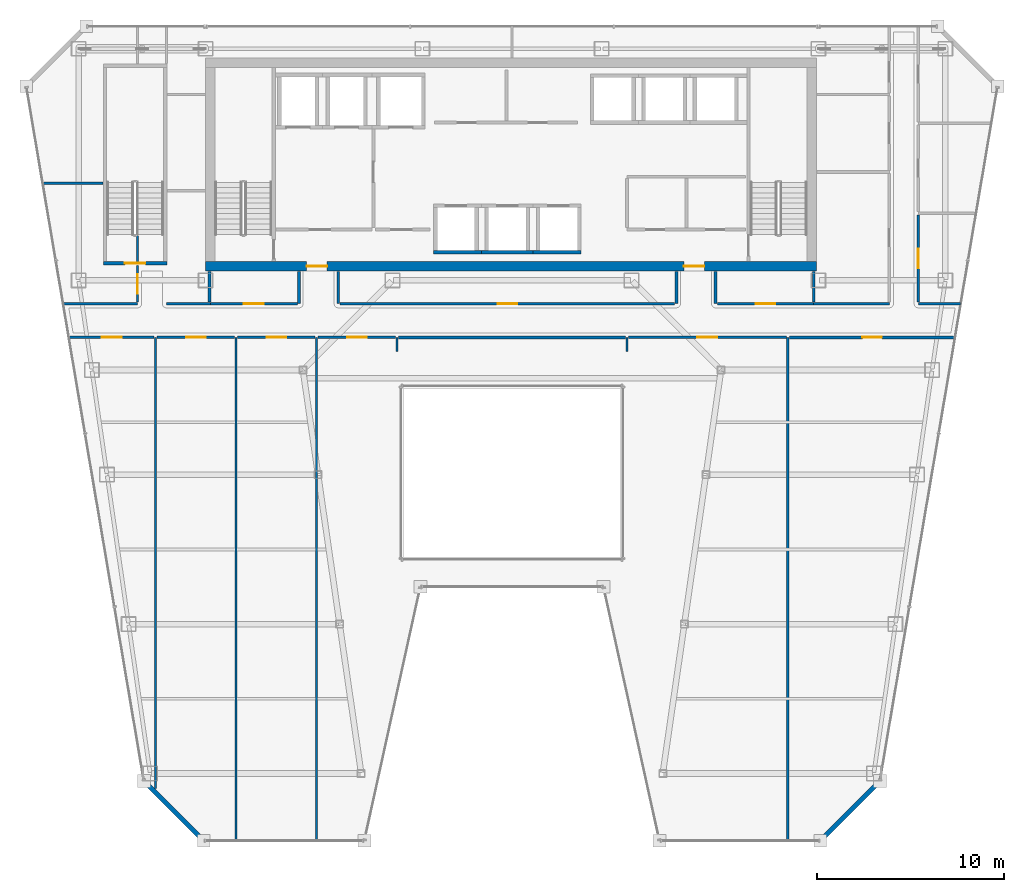
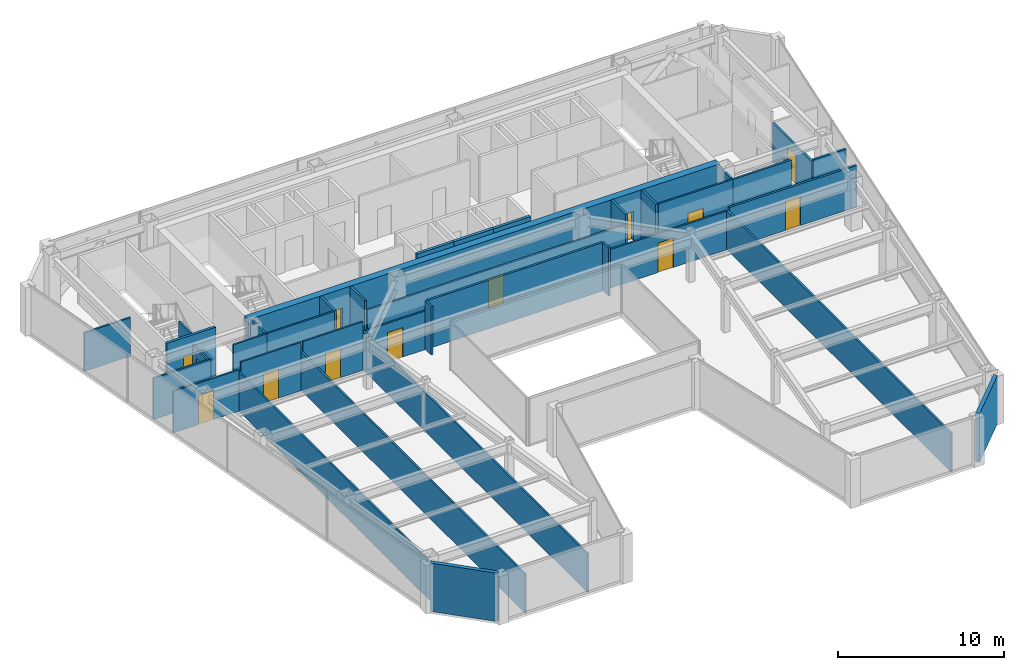
# One storey, part 30 of 36: 37 walls, 14 doors, 14 openings.
"""IFC4 building model written with IfcOpenShell, lengths in metres."""

from ifc_helpers import new_model, si_unit, direction, frame, frame_2d, origin, place, context, subcontext, project, spatial, rectangle, extrude, material, layer, layer_set, type_object, element, fill, save


model = new_model("IFC4")

# Units and contexts
model_context = context("Model", 3, precision=1e-05, world=origin(), true_north=direction((0.0, 1.0)))
body_context = subcontext(model_context, "Body", "Model", "MODEL_VIEW")
ifc_project = project(units=[si_unit("LENGTHUNIT", "METRE"), si_unit("AREAUNIT", "SQUARE_METRE"), si_unit("VOLUMEUNIT", "CUBIC_METRE"), si_unit("PLANEANGLEUNIT", "RADIAN"), si_unit("MASSUNIT", "GRAM", prefix="KILO")], contexts=[model_context])

# Site, building, storey
site_placement = place(None, origin())
site = spatial("IfcSite", under=ifc_project, at=site_placement, CompositionType="ELEMENT")
building_placement = place(site_placement, origin())
building = spatial("IfcBuilding", under=site, at=building_placement, Name="Saevonmaru Cultural Tower", CompositionType="ELEMENT")
storey_placement = place(building_placement, frame((0.0, 0.0, 198.0)))
storey = spatial("IfcBuildingStorey", under=building, at=storey_placement, Name="L45", CompositionType="ELEMENT", Elevation=198.0)

# Wall, openings, doors
ifc_material_1 = material(Name="Concrete C60/75", Category="concrete")
ifc_layer_1 = layer(ifc_material_1, 0.5, Name="Concrete C60/75")
ifc_layer_set_1 = layer_set([ifc_layer_1], Name="Concrete C60/75")
wall_type_1 = type_object("IfcWallType", Name="WL-CORE-500", PredefinedType="SHEAR", material=ifc_layer_set_1)
wall_1_placement = place(storey_placement, frame((13.60009765625, 43.14990234375, 0.0), z_axis=(0.0, 0.0, 1.0), x_axis=(1.0, 0.0, 0.0)))
wall_1 = element("IfcWall", 1, at=wall_1_placement, inside=storey, type_object=wall_type_1, Name="L45 Tower RC core shear wall S", PredefinedType="SHEAR", context=body_context, shape_type="SweptSolid", body=[
    extrude(rectangle(XDim=32.699951171875, YDim=0.5, at=frame_2d((16.35009765625, 0.0))), origin(), (0.0, 0.0, 1.0), 3.550048828125),
])
opening_1_placement = place(wall_1_placement, frame((5.39990234375, 0.0, 0.0)))
opening_1 = element("IfcOpeningElement", 2, at=opening_1_placement, cuts=wall_1, Name="Opening FD-2", PredefinedType="OPENING", context=body_context, shape_type="SweptSolid", body=[
    extrude(rectangle(XDim=1.10009765625, YDim=2.14990234375, at=frame_2d((0.550048828125, 1.074951171875))), frame((0.0, 0.260009765625, 0.0), z_axis=(0.0, -1.0, 0.0), x_axis=(1.0, 0.0, 0.0)), (0.0, 0.0, 1.0), 0.52001953125),
])
opening_2_placement = place(wall_1_placement, frame((25.60009765625, 0.0, 0.0)))
opening_2 = element("IfcOpeningElement", 3, at=opening_2_placement, cuts=wall_1, Name="Opening FD-2", PredefinedType="OPENING", context=body_context, shape_type="SweptSolid", body=[
    extrude(rectangle(XDim=1.10009765625, YDim=2.14990234375, at=frame_2d((0.550048828125, 1.074951171875))), frame((0.0, 0.260009765625, 0.0), z_axis=(0.0, -1.0, 0.0), x_axis=(1.0, 0.0, 0.0)), (0.0, 0.0, 1.0), 0.52001953125),
])
ifc_material_2 = material(Name="Satin Bronze Anodised Aluminium", Category="aluminium")
door_type_1 = type_object("IfcDoorType", Name="DR-FD60-1100", OperationType="SINGLE_SWING_LEFT", PredefinedType="DOOR", material=ifc_material_2)
door_1_placement = place(opening_1_placement, origin())
door_1 = element("IfcDoor", 4, at=door_1_placement, inside=storey, type_object=door_type_1, Name="L45 Core West Lobby Fire Door", OperationType="SINGLE_SWING_LEFT", OverallHeight=2.14990234375, OverallWidth=1.10009765625, PredefinedType="DOOR", context=body_context, shape_type="SweptSolid", body=[
    extrude(rectangle(XDim=1.10009765625, YDim=2.14990234375, at=frame_2d((0.550048828125, 1.074951171875))), frame((0.0, 0.02490234375, 0.0), z_axis=(0.0, -1.0, 0.0), x_axis=(1.0, 0.0, 0.0)), (0.0, 0.0, 1.0), 0.050048828125),
])
fill(opening_1, door_1)
door_2_placement = place(opening_2_placement, origin())
door_2 = element("IfcDoor", 5, at=door_2_placement, inside=storey, type_object=door_type_1, Name="L45 Core East Lobby Fire Door", OperationType="SINGLE_SWING_LEFT", OverallHeight=2.14990234375, OverallWidth=1.10009765625, PredefinedType="DOOR", context=body_context, shape_type="SweptSolid", body=[
    extrude(rectangle(XDim=1.10009765625, YDim=2.14990234375, at=frame_2d((0.550048828125, 1.074951171875))), frame((0.0, 0.02490234375, 0.0), z_axis=(0.0, -1.0, 0.0), x_axis=(1.0, 0.0, 0.0)), (0.0, 0.0, 1.0), 0.050048828125),
])
fill(opening_2, door_2)

# Walls
ifc_material_3 = material(Name="Granite-Clad Precast Concrete C40/50", Category="masonry")
ifc_layer_2 = layer(ifc_material_3, 0.260009765625, Name="Granite-Clad Precast Concrete C40/50")
ifc_layer_set_2 = layer_set([ifc_layer_2], Name="Granite-Clad Precast Concrete C40/50")
wall_type_2 = type_object("IfcWallType", Name="WL-EXT-SPANDREL-260", PredefinedType="STANDARD", material=ifc_layer_set_2)
for number, where, z_axis, x_axis, name in (
    (6, (10.410888671875, 15.48681640625, 0.0), (0.0, 0.0, 1.0), (0.707135806771, -0.70707775441, 0.0), "L45 Chamfer Corner Spandrel Wall E1"),
    (7, (46.615234375, 12.51318359375, 0.0), (0.0, 0.0, 1.0), (0.707135806771, 0.70707775441, 0.0), "L45 Chamfer Corner Spandrel Wall E7"),
):
    element("IfcWall", number, at=place(storey_placement, frame(where, z_axis=z_axis, x_axis=x_axis)), inside=storey, type_object=wall_type_2, Name=name, PredefinedType="STANDARD", context=body_context, shape_type="SweptSolid", body=[
        extrude(rectangle(XDim=4.20556640625, YDim=0.260009765625, at=frame_2d((2.102783203125, 0.0))), origin(), (0.0, 0.0, 1.0), 3.550048828125),
    ])

# Wall, opening, door
ifc_material_4 = material(Name="Gypsum Fireboard Partition", Category="gypsum")
ifc_layer_3 = layer(ifc_material_4, 0.14990234375, Name="Gypsum Fireboard Partition")
ifc_layer_set_3 = layer_set([ifc_layer_3], Name="Gypsum Fireboard Partition")
wall_type_3 = type_object("IfcWallType", Name="WL-PART-FIRE-150", PredefinedType="PARTITIONING", material=ifc_layer_set_3)
wall_2_placement = place(storey_placement, frame((51.75, 41.237548828125, 0.0), z_axis=(0.0, 0.0, 1.0), x_axis=(0.0, 1.0, 0.0)))
wall_2 = element("IfcWall", 8, at=wall_2_placement, inside=storey, type_object=wall_type_3, Name="L45 Special Collections Gallery Corridor Wall", PredefinedType="PARTITIONING", context=body_context, shape_type="SweptSolid", body=[
    extrude(rectangle(XDim=4.675048828125, YDim=0.14990234375, at=frame_2d((2.33740234375, 0.0))), origin(), (0.0, 0.0, 1.0), 2.8349609375),
])
opening_3_placement = place(wall_2_placement, frame((1.81298828125, 0.0, 0.0)))
opening_3 = element("IfcOpeningElement", 9, at=opening_3_placement, cuts=wall_2, Name="Opening ID-1", PredefinedType="OPENING", context=body_context, shape_type="SweptSolid", body=[
    extrude(rectangle(XDim=1.050048828125, YDim=2.14990234375, at=frame_2d((0.52490234375, 1.074951171875))), frame((0.0, 0.0849609375, 0.0), z_axis=(0.0, -1.0, 0.0), x_axis=(1.0, 0.0, 0.0)), (0.0, 0.0, 1.0), 0.169921875),
])
door_type_2 = type_object("IfcDoorType", Name="DR-INT-1050", OperationType="SINGLE_SWING_LEFT", PredefinedType="DOOR", material=ifc_material_2)
door_3_placement = place(opening_3_placement, origin())
door_3 = element("IfcDoor", 10, at=door_3_placement, inside=storey, type_object=door_type_2, Name="L45 Special Collections Gallery Door", OperationType="SINGLE_SWING_RIGHT", OverallHeight=2.14990234375, OverallWidth=1.050048828125, PredefinedType="DOOR", context=body_context, shape_type="SweptSolid", body=[
    extrude(rectangle(XDim=1.050048828125, YDim=2.14990234375, at=frame_2d((0.52490234375, 1.074951171875))), frame((0.0, 0.02490234375, 0.0), z_axis=(0.0, -1.0, 0.0), x_axis=(1.0, 0.0, 0.0)), (0.0, 0.0, 1.0), 0.050048828125),
])
fill(opening_3, door_3)

# Walls
wall_3_placement = place(storey_placement, frame((13.800048828125, 41.22998046875, 0.0), z_axis=(0.0, 0.0, 1.0), x_axis=(0.0, 1.0, 0.0)))
element("IfcWall", 11, at=wall_3_placement, inside=storey, type_object=wall_type_3, Name="L45 Core Portal Side Wall W0", PredefinedType="PARTITIONING", context=body_context, shape_type="SweptSolid", body=[
    extrude(rectangle(XDim=1.64990234375, YDim=0.14990234375, at=frame_2d((0.824951171875, 0.0))), origin(), (0.0, 0.0, 1.0), 3.550048828125),
])
for number, where, z_axis, x_axis, name in (
    (12, (18.60009765625, 41.14990234375, 0.0), (0.0, 0.0, 1.0), (0.0, 1.0, 0.0), "L45 Core Portal Side Wall W1"),
    (13, (20.699951171875, 41.14990234375, 0.0), (0.0, 0.0, 1.0), (0.0, 1.0, 0.0), "L45 Core Portal Side Wall W2"),
    (14, (38.800048828125, 41.14990234375, 0.0), (0.0, 0.0, 1.0), (0.0, 1.0, 0.0), "L45 Core Portal Side Wall E1"),
    (15, (40.89990234375, 41.14990234375, 0.0), (0.0, 0.0, 1.0), (0.0, 1.0, 0.0), "L45 Core Portal Side Wall E2"),
):
    element("IfcWall", number, at=place(storey_placement, frame(where, z_axis=z_axis, x_axis=x_axis)), inside=storey, type_object=wall_type_3, Name=name, PredefinedType="PARTITIONING", context=body_context, shape_type="SweptSolid", body=[
        extrude(rectangle(XDim=1.72998046875, YDim=0.14990234375, at=frame_2d((0.864990234375, 0.0))), origin(), (0.0, 0.0, 1.0), 3.550048828125),
    ])
wall_4_placement = place(storey_placement, frame((23.929931640625, 39.35009765625, 0.0), z_axis=(0.0, 0.0, 1.0), x_axis=(1.0, 0.0, 0.0)))
element("IfcWall", 16, at=wall_4_placement, inside=storey, type_object=wall_type_3, Name="L45 North Atrium Corridor Wall", PredefinedType="PARTITIONING", context=body_context, shape_type="SweptSolid", body=[
    extrude(rectangle(XDim=12.14013671875, YDim=0.14990234375, at=frame_2d((6.070068359375, 0.0))), origin(), (0.0, 0.0, 1.0), 3.550048828125),
])

# Wall, opening, door
wall_5_placement = place(storey_placement, frame((44.857421875, 39.35009765625, 0.0), z_axis=(0.0, 0.0, 1.0), x_axis=(1.0, 0.0, 0.0)))
wall_5 = element("IfcWall", 17, at=wall_5_placement, inside=storey, type_object=wall_type_3, Name="L45 Special Collections Gallery Corridor Wall", PredefinedType="PARTITIONING", context=body_context, shape_type="SweptSolid", body=[
    extrude(rectangle(XDim=8.837646484375, YDim=0.14990234375, at=frame_2d((4.4189453125, 0.0))), origin(), (0.0, 0.0, 1.0), 3.034912109375),
])
opening_4_placement = place(wall_5_placement, frame((3.89404296875, 0.0, 0.0)))
opening_4 = element("IfcOpeningElement", 18, at=opening_4_placement, cuts=wall_5, Name="Opening ID-1", PredefinedType="OPENING", context=body_context, shape_type="SweptSolid", body=[
    extrude(rectangle(XDim=1.050048828125, YDim=2.14990234375, at=frame_2d((0.52490234375, 1.074951171875))), frame((0.0, 0.0849609375, 0.0), z_axis=(0.0, -1.0, 0.0), x_axis=(1.0, 0.0, 0.0)), (0.0, 0.0, 1.0), 0.169921875),
])
door_4_placement = place(opening_4_placement, origin())
door_4 = element("IfcDoor", 19, at=door_4_placement, inside=storey, type_object=door_type_2, Name="L45 Special Collections Gallery Door", OperationType="SINGLE_SWING_LEFT", OverallHeight=2.14990234375, OverallWidth=1.050048828125, PredefinedType="DOOR", context=body_context, shape_type="SweptSolid", body=[
    extrude(rectangle(XDim=1.050048828125, YDim=2.14990234375, at=frame_2d((0.52490234375, 1.074951171875))), frame((0.0, 0.02490234375, 0.0), z_axis=(0.0, -1.0, 0.0), x_axis=(1.0, 0.0, 0.0)), (0.0, 0.0, 1.0), 0.050048828125),
])
fill(opening_4, door_4)

# Walls
ifc_layer_4 = layer(ifc_material_4, 0.1201171875, Name="Gypsum Fireboard Partition")
ifc_layer_set_4 = layer_set([ifc_layer_4], Name="Gypsum Fireboard Partition")
wall_type_4 = type_object("IfcWallType", Name="WL-PART-GYP-120", PredefinedType="PARTITIONING", material=ifc_layer_set_4)
wall_6_placement = place(storey_placement, frame((5.977294921875, 41.14990234375, 0.0), z_axis=(0.0, 0.0, 1.0), x_axis=(1.0, 0.0, 0.0)))
element("IfcWall", 20, at=wall_6_placement, inside=storey, type_object=wall_type_4, Name="L45 NW Wing South Wall", PredefinedType="PARTITIONING", context=body_context, shape_type="SweptSolid", body=[
    extrude(rectangle(XDim=3.97265625, YDim=0.1201171875, at=frame_2d((1.986328125, 0.0))), origin(), (0.0, 0.0, 1.0), 3.034912109375),
])
wall_7_placement = place(storey_placement, frame((11.5, 41.14990234375, 0.0), z_axis=(0.0, 0.0, 1.0), x_axis=(1.0, 0.0, 0.0)))
element("IfcWall", 21, at=wall_7_placement, inside=storey, type_object=wall_type_4, Name="L45 NW Inner South Wall", PredefinedType="PARTITIONING", context=body_context, shape_type="SweptSolid", body=[
    extrude(rectangle(XDim=2.35009765625, YDim=0.1201171875, at=frame_2d((1.175048828125, 0.0))), origin(), (0.0, 0.0, 1.0), 3.550048828125),
])
wall_8_placement = place(storey_placement, frame((4.885498046875, 47.60009765625, 0.0), z_axis=(0.0, 0.0, 1.0), x_axis=(1.0, 0.0, 0.0)))
element("IfcWall", 22, at=wall_8_placement, inside=storey, type_object=wall_type_4, Name="L45 NW Studio Divider 1", PredefinedType="PARTITIONING", context=body_context, shape_type="SweptSolid", body=[
    extrude(rectangle(XDim=3.214599609375, YDim=0.1201171875, at=frame_2d((1.607421875, 0.0))), origin(), (0.0, 0.0, 1.0), 2.8349609375),
])

# Wall, opening, door
wall_9_placement = place(storey_placement, frame((9.949951171875, 41.22998046875, 0.0), z_axis=(0.0, 0.0, 1.0), x_axis=(0.0, 1.0, 0.0)))
wall_9 = element("IfcWall", 23, at=wall_9_placement, inside=storey, type_object=wall_type_4, Name="L45 Rare Manuscript Reading Room Corridor Wall", PredefinedType="PARTITIONING", context=body_context, shape_type="SweptSolid", body=[
    extrude(rectangle(XDim=1.969970703125, YDim=0.1201171875, at=frame_2d((0.98486328125, 0.0))), origin(), (0.0, 0.0, 1.0), 2.8349609375),
])
opening_5_placement = place(wall_9_placement, frame((0.4599609375, 0.0, 0.0)))
opening_5 = element("IfcOpeningElement", 24, at=opening_5_placement, cuts=wall_9, Name="Opening ID-1", PredefinedType="OPENING", context=body_context, shape_type="SweptSolid", body=[
    extrude(rectangle(XDim=1.050048828125, YDim=2.14990234375, at=frame_2d((0.52490234375, 1.074951171875))), frame((0.0, 0.070068359375, 0.0), z_axis=(0.0, -1.0, 0.0), x_axis=(1.0, 0.0, 0.0)), (0.0, 0.0, 1.0), 0.14013671875),
])
door_5_placement = place(opening_5_placement, origin())
door_5 = element("IfcDoor", 25, at=door_5_placement, inside=storey, type_object=door_type_2, Name="L45 Rare Manuscript Reading Room Door", OperationType="SINGLE_SWING_LEFT", OverallHeight=2.14990234375, OverallWidth=1.050048828125, PredefinedType="DOOR", context=body_context, shape_type="SweptSolid", body=[
    extrude(rectangle(XDim=1.050048828125, YDim=2.14990234375, at=frame_2d((0.52490234375, 1.074951171875))), frame((0.0, 0.02490234375, 0.0), z_axis=(0.0, -1.0, 0.0), x_axis=(1.0, 0.0, 0.0)), (0.0, 0.0, 1.0), 0.050048828125),
])
fill(opening_5, door_5)

# Wall
wall_10_placement = place(storey_placement, frame((9.949951171875, 43.419921875, 0.0), z_axis=(0.0, 0.0, 1.0), x_axis=(0.0, 1.0, 0.0)))
element("IfcWall", 26, at=wall_10_placement, inside=storey, type_object=wall_type_4, Name="L45 Rare Manuscript Reading Room Corridor Wall (2)", PredefinedType="PARTITIONING", context=body_context, shape_type="SweptSolid", body=[
    extrude(rectangle(XDim=1.4501953125, YDim=0.1201171875, at=frame_2d((0.72509765625, 0.0))), origin(), (0.0, 0.0, 1.0), 3.550048828125),
])

# Wall, opening, door
wall_11_placement = place(storey_placement, frame((13.85009765625, 41.14990234375, 0.0), z_axis=(0.0, 0.0, 1.0), x_axis=(1.0, 0.0, 0.0)))
wall_11 = element("IfcWall", 27, at=wall_11_placement, inside=storey, type_object=wall_type_4, Name="L45 Rare Manuscript Reading Room Corridor Wall", PredefinedType="PARTITIONING", context=body_context, shape_type="SweptSolid", body=[
    extrude(rectangle(XDim=4.65478515625, YDim=0.1201171875, at=frame_2d((2.327392578125, 0.0))), origin(), (0.0, 0.0, 1.0), 3.550048828125),
])
opening_6_placement = place(wall_11_placement, frame((1.802001953125, 0.0, 0.0)))
opening_6 = element("IfcOpeningElement", 28, at=opening_6_placement, cuts=wall_11, Name="Opening ID-1", PredefinedType="OPENING", context=body_context, shape_type="SweptSolid", body=[
    extrude(rectangle(XDim=1.050048828125, YDim=2.14990234375, at=frame_2d((0.52490234375, 1.074951171875))), frame((0.0, 0.070068359375, 0.0), z_axis=(0.0, -1.0, 0.0), x_axis=(1.0, 0.0, 0.0)), (0.0, 0.0, 1.0), 0.14013671875),
])
door_6_placement = place(opening_6_placement, origin())
door_6 = element("IfcDoor", 29, at=door_6_placement, inside=storey, type_object=door_type_2, Name="L45 Rare Manuscript Reading Room Door", OperationType="SINGLE_SWING_LEFT", OverallHeight=2.14990234375, OverallWidth=1.050048828125, PredefinedType="DOOR", context=body_context, shape_type="SweptSolid", body=[
    extrude(rectangle(XDim=1.050048828125, YDim=2.14990234375, at=frame_2d((0.52490234375, 1.074951171875))), frame((0.0, 0.02490234375, 0.0), z_axis=(0.0, -1.0, 0.0), x_axis=(1.0, 0.0, 0.0)), (0.0, 0.0, 1.0), 0.050048828125),
])
fill(opening_6, door_6)

wall_12_placement = place(storey_placement, frame((20.794921875, 41.14990234375, 0.0), z_axis=(0.0, 0.0, 1.0), x_axis=(1.0, 0.0, 0.0)))
wall_12 = element("IfcWall", 30, at=wall_12_placement, inside=storey, type_object=wall_type_4, Name="L45 Cartographic Study Library Corridor Wall", PredefinedType="PARTITIONING", context=body_context, shape_type="SweptSolid", body=[
    extrude(rectangle(XDim=17.91015625, YDim=0.1201171875, at=frame_2d((8.955078125, 0.0))), origin(), (0.0, 0.0, 1.0), 2.8349609375),
])
opening_7_placement = place(wall_12_placement, frame((8.429931640625, 0.0, 0.0)))
opening_7 = element("IfcOpeningElement", 31, at=opening_7_placement, cuts=wall_12, Name="Opening ID-1", PredefinedType="OPENING", context=body_context, shape_type="SweptSolid", body=[
    extrude(rectangle(XDim=1.050048828125, YDim=2.14990234375, at=frame_2d((0.52490234375, 1.074951171875))), frame((0.0, 0.070068359375, 0.0), z_axis=(0.0, -1.0, 0.0), x_axis=(1.0, 0.0, 0.0)), (0.0, 0.0, 1.0), 0.14013671875),
])
door_7_placement = place(opening_7_placement, origin())
door_7 = element("IfcDoor", 32, at=door_7_placement, inside=storey, type_object=door_type_2, Name="L45 Cartographic Study Library Door", OperationType="SINGLE_SWING_RIGHT", OverallHeight=2.14990234375, OverallWidth=1.050048828125, PredefinedType="DOOR", context=body_context, shape_type="SweptSolid", body=[
    extrude(rectangle(XDim=1.050048828125, YDim=2.14990234375, at=frame_2d((0.52490234375, 1.074951171875))), frame((0.0, 0.02490234375, 0.0), z_axis=(0.0, -1.0, 0.0), x_axis=(1.0, 0.0, 0.0)), (0.0, 0.0, 1.0), 0.050048828125),
])
fill(opening_7, door_7)

wall_13_placement = place(storey_placement, frame((40.9951171875, 41.14990234375, 0.0), z_axis=(0.0, 0.0, 1.0), x_axis=(1.0, 0.0, 0.0)))
wall_13 = element("IfcWall", 33, at=wall_13_placement, inside=storey, type_object=wall_type_4, Name="L45 Periodical Reading Room Corridor Wall", PredefinedType="PARTITIONING", context=body_context, shape_type="SweptSolid", body=[
    extrude(rectangle(XDim=5.15478515625, YDim=0.1201171875, at=frame_2d((2.577392578125, 0.0))), origin(), (0.0, 0.0, 1.0), 3.550048828125),
])
opening_8_placement = place(wall_13_placement, frame((2.052978515625, 0.0, 0.0)))
opening_8 = element("IfcOpeningElement", 34, at=opening_8_placement, cuts=wall_13, Name="Opening ID-1", PredefinedType="OPENING", context=body_context, shape_type="SweptSolid", body=[
    extrude(rectangle(XDim=1.050048828125, YDim=2.14990234375, at=frame_2d((0.52490234375, 1.074951171875))), frame((0.0, 0.070068359375, 0.0), z_axis=(0.0, -1.0, 0.0), x_axis=(1.0, 0.0, 0.0)), (0.0, 0.0, 1.0), 0.14013671875),
])
door_8_placement = place(opening_8_placement, origin())
door_8 = element("IfcDoor", 35, at=door_8_placement, inside=storey, type_object=door_type_2, Name="L45 Periodical Reading Room Door", OperationType="SINGLE_SWING_LEFT", OverallHeight=2.14990234375, OverallWidth=1.050048828125, PredefinedType="DOOR", context=body_context, shape_type="SweptSolid", body=[
    extrude(rectangle(XDim=1.050048828125, YDim=2.14990234375, at=frame_2d((0.52490234375, 1.074951171875))), frame((0.0, 0.02490234375, 0.0), z_axis=(0.0, -1.0, 0.0), x_axis=(1.0, 0.0, 0.0)), (0.0, 0.0, 1.0), 0.050048828125),
])
fill(opening_8, door_8)

# Walls
wall_14_placement = place(storey_placement, frame((10.919921875, 15.18994140625, 0.0), z_axis=(0.0, 0.0, 1.0), x_axis=(0.0, 1.0, 0.0)))
element("IfcWall", 36, at=wall_14_placement, inside=storey, type_object=wall_type_4, Name="L45 West Bay Divider 1", PredefinedType="PARTITIONING", context=body_context, shape_type="SweptSolid", body=[
    extrude(rectangle(XDim=24.16015625, YDim=0.1201171875, at=frame_2d((12.080078125, 0.0))), origin(), (0.0, 0.0, 1.0), 2.8349609375),
])
for number, where, z_axis, x_axis, name in (
    (37, (15.22998046875, 12.405029296875, 0.0), (0.0, 0.0, 1.0), (0.0, 1.0, 0.0), "L45 West Bay Divider 2"),
    (38, (19.5400390625, 12.405029296875, 0.0), (0.0, 0.0, 1.0), (0.0, 1.0, 0.0), "L45 West Bay Divider 3"),
):
    element("IfcWall", number, at=place(storey_placement, frame(where, z_axis=z_axis, x_axis=x_axis)), inside=storey, type_object=wall_type_4, Name=name, PredefinedType="PARTITIONING", context=body_context, shape_type="SweptSolid", body=[
        extrude(rectangle(XDim=26.945068359375, YDim=0.1201171875, at=frame_2d((13.47265625, 0.0))), origin(), (0.0, 0.0, 1.0), 2.8349609375),
    ])
for number, where, z_axis, x_axis, name in (
    (39, (23.85009765625, 38.60009765625, 0.0), (0.0, 0.0, 1.0), (0.0, 1.0, 0.0), "L45 North Atrium West Wall"),
    (40, (36.14990234375, 38.60009765625, 0.0), (0.0, 0.0, 1.0), (0.0, 1.0, 0.0), "L45 North Atrium East Wall"),
):
    element("IfcWall", number, at=place(storey_placement, frame(where, z_axis=z_axis, x_axis=x_axis)), inside=storey, type_object=wall_type_4, Name=name, PredefinedType="PARTITIONING", context=body_context, shape_type="SweptSolid", body=[
        extrude(rectangle(XDim=0.75, YDim=0.1201171875, at=frame_2d((0.375, 0.0))), origin(), (0.0, 0.0, 1.0), 3.550048828125),
    ])

# Wall, opening, door
wall_15_placement = place(storey_placement, frame((6.304931640625, 39.35009765625, 0.0), z_axis=(0.0, 0.0, 1.0), x_axis=(1.0, 0.0, 0.0)))
wall_15 = element("IfcWall", 41, at=wall_15_placement, inside=storey, type_object=wall_type_4, Name="L45 Rare Manuscript Reading Room Corridor Wall", PredefinedType="PARTITIONING", context=body_context, shape_type="SweptSolid", body=[
    extrude(rectangle(XDim=4.53515625, YDim=0.1201171875, at=frame_2d((2.267578125, 0.0))), origin(), (0.0, 0.0, 1.0), 3.034912109375),
])
opening_9_placement = place(wall_15_placement, frame((1.742919921875, 0.0, 0.0)))
opening_9 = element("IfcOpeningElement", 42, at=opening_9_placement, cuts=wall_15, Name="Opening ID-1", PredefinedType="OPENING", context=body_context, shape_type="SweptSolid", body=[
    extrude(rectangle(XDim=1.050048828125, YDim=2.14990234375, at=frame_2d((0.52490234375, 1.074951171875))), frame((0.0, 0.070068359375, 0.0), z_axis=(0.0, -1.0, 0.0), x_axis=(1.0, 0.0, 0.0)), (0.0, 0.0, 1.0), 0.14013671875),
])
door_9_placement = place(opening_9_placement, origin())
door_9 = element("IfcDoor", 43, at=door_9_placement, inside=storey, type_object=door_type_2, Name="L45 Rare Manuscript Reading Room Door", OperationType="SINGLE_SWING_RIGHT", OverallHeight=2.14990234375, OverallWidth=1.050048828125, PredefinedType="DOOR", context=body_context, shape_type="SweptSolid", body=[
    extrude(rectangle(XDim=1.050048828125, YDim=2.14990234375, at=frame_2d((0.52490234375, 1.074951171875))), frame((0.0, 0.02490234375, 0.0), z_axis=(0.0, -1.0, 0.0), x_axis=(1.0, 0.0, 0.0)), (0.0, 0.0, 1.0), 0.050048828125),
])
fill(opening_9, door_9)

wall_16_placement = place(storey_placement, frame((11.0, 39.35009765625, 0.0), z_axis=(0.0, 0.0, 1.0), x_axis=(1.0, 0.0, 0.0)))
wall_16 = element("IfcWall", 44, at=wall_16_placement, inside=storey, type_object=wall_type_4, Name="L45 Cartographic Study Library Corridor Wall", PredefinedType="PARTITIONING", context=body_context, shape_type="SweptSolid", body=[
    extrude(rectangle(XDim=4.14990234375, YDim=0.1201171875, at=frame_2d((2.074951171875, 0.0))), origin(), (0.0, 0.0, 1.0), 3.550048828125),
])
opening_10_placement = place(wall_16_placement, frame((1.550048828125, 0.0, 0.0)))
opening_10 = element("IfcOpeningElement", 45, at=opening_10_placement, cuts=wall_16, Name="Opening ID-1", PredefinedType="OPENING", context=body_context, shape_type="SweptSolid", body=[
    extrude(rectangle(XDim=1.050048828125, YDim=2.14990234375, at=frame_2d((0.52490234375, 1.074951171875))), frame((0.0, 0.070068359375, 0.0), z_axis=(0.0, -1.0, 0.0), x_axis=(1.0, 0.0, 0.0)), (0.0, 0.0, 1.0), 0.14013671875),
])
door_10_placement = place(opening_10_placement, origin())
door_10 = element("IfcDoor", 46, at=door_10_placement, inside=storey, type_object=door_type_2, Name="L45 Cartographic Study Library Door", OperationType="SINGLE_SWING_LEFT", OverallHeight=2.14990234375, OverallWidth=1.050048828125, PredefinedType="DOOR", context=body_context, shape_type="SweptSolid", body=[
    extrude(rectangle(XDim=1.050048828125, YDim=2.14990234375, at=frame_2d((0.52490234375, 1.074951171875))), frame((0.0, 0.02490234375, 0.0), z_axis=(0.0, -1.0, 0.0), x_axis=(1.0, 0.0, 0.0)), (0.0, 0.0, 1.0), 0.050048828125),
])
fill(opening_10, door_10)

wall_17_placement = place(storey_placement, frame((15.31005859375, 39.35009765625, 0.0), z_axis=(0.0, 0.0, 1.0), x_axis=(1.0, 0.0, 0.0)))
wall_17 = element("IfcWall", 47, at=wall_17_placement, inside=storey, type_object=wall_type_4, Name="L45 Periodical Reading Room Corridor Wall", PredefinedType="PARTITIONING", context=body_context, shape_type="SweptSolid", body=[
    extrude(rectangle(XDim=4.14990234375, YDim=0.1201171875, at=frame_2d((2.074951171875, 0.0))), origin(), (0.0, 0.0, 1.0), 3.550048828125),
])
opening_11_placement = place(wall_17_placement, frame((1.550048828125, 0.0, 0.0)))
opening_11 = element("IfcOpeningElement", 48, at=opening_11_placement, cuts=wall_17, Name="Opening ID-1", PredefinedType="OPENING", context=body_context, shape_type="SweptSolid", body=[
    extrude(rectangle(XDim=1.050048828125, YDim=2.14990234375, at=frame_2d((0.52490234375, 1.074951171875))), frame((0.0, 0.070068359375, 0.0), z_axis=(0.0, -1.0, 0.0), x_axis=(1.0, 0.0, 0.0)), (0.0, 0.0, 1.0), 0.14013671875),
])
door_11_placement = place(opening_11_placement, origin())
door_11 = element("IfcDoor", 49, at=door_11_placement, inside=storey, type_object=door_type_2, Name="L45 Periodical Reading Room Door", OperationType="SINGLE_SWING_RIGHT", OverallHeight=2.14990234375, OverallWidth=1.050048828125, PredefinedType="DOOR", context=body_context, shape_type="SweptSolid", body=[
    extrude(rectangle(XDim=1.050048828125, YDim=2.14990234375, at=frame_2d((0.52490234375, 1.074951171875))), frame((0.0, 0.02490234375, 0.0), z_axis=(0.0, -1.0, 0.0), x_axis=(1.0, 0.0, 0.0)), (0.0, 0.0, 1.0), 0.050048828125),
])
fill(opening_11, door_11)

wall_18_placement = place(storey_placement, frame((19.6201171875, 39.35009765625, 0.0), z_axis=(0.0, 0.0, 1.0), x_axis=(1.0, 0.0, 0.0)))
wall_18 = element("IfcWall", 50, at=wall_18_placement, inside=storey, type_object=wall_type_4, Name="L45 Rare Manuscript Reading Room Corridor Wall", PredefinedType="PARTITIONING", context=body_context, shape_type="SweptSolid", body=[
    extrude(rectangle(XDim=4.14990234375, YDim=0.1201171875, at=frame_2d((2.074951171875, 0.0))), origin(), (0.0, 0.0, 1.0), 2.8349609375),
])
opening_12_placement = place(wall_18_placement, frame((1.550048828125, 0.0, 0.0)))
opening_12 = element("IfcOpeningElement", 51, at=opening_12_placement, cuts=wall_18, Name="Opening ID-1", PredefinedType="OPENING", context=body_context, shape_type="SweptSolid", body=[
    extrude(rectangle(XDim=1.050048828125, YDim=2.14990234375, at=frame_2d((0.52490234375, 1.074951171875))), frame((0.0, 0.070068359375, 0.0), z_axis=(0.0, -1.0, 0.0), x_axis=(1.0, 0.0, 0.0)), (0.0, 0.0, 1.0), 0.14013671875),
])
door_12_placement = place(opening_12_placement, origin())
door_12 = element("IfcDoor", 52, at=door_12_placement, inside=storey, type_object=door_type_2, Name="L45 Rare Manuscript Reading Room Door", OperationType="SINGLE_SWING_LEFT", OverallHeight=2.14990234375, OverallWidth=1.050048828125, PredefinedType="DOOR", context=body_context, shape_type="SweptSolid", body=[
    extrude(rectangle(XDim=1.050048828125, YDim=2.14990234375, at=frame_2d((0.52490234375, 1.074951171875))), frame((0.0, 0.02490234375, 0.0), z_axis=(0.0, -1.0, 0.0), x_axis=(1.0, 0.0, 0.0)), (0.0, 0.0, 1.0), 0.050048828125),
])
fill(opening_12, door_12)

wall_19_placement = place(storey_placement, frame((36.22998046875, 39.35009765625, 0.0), z_axis=(0.0, 0.0, 1.0), x_axis=(1.0, 0.0, 0.0)))
wall_19 = element("IfcWall", 53, at=wall_19_placement, inside=storey, type_object=wall_type_4, Name="L45 Periodical Reading Room Corridor Wall", PredefinedType="PARTITIONING", context=body_context, shape_type="SweptSolid", body=[
    extrude(rectangle(XDim=8.45263671875, YDim=0.1201171875, at=frame_2d((4.226318359375, 0.0))), origin(), (0.0, 0.0, 1.0), 2.8349609375),
])
opening_13_placement = place(wall_19_placement, frame((3.700927734375, 0.0, 0.0)))
opening_13 = element("IfcOpeningElement", 54, at=opening_13_placement, cuts=wall_19, Name="Opening ID-1", PredefinedType="OPENING", context=body_context, shape_type="SweptSolid", body=[
    extrude(rectangle(XDim=1.050048828125, YDim=2.14990234375, at=frame_2d((0.52490234375, 1.074951171875))), frame((0.0, 0.070068359375, 0.0), z_axis=(0.0, -1.0, 0.0), x_axis=(1.0, 0.0, 0.0)), (0.0, 0.0, 1.0), 0.14013671875),
])
door_13_placement = place(opening_13_placement, origin())
door_13 = element("IfcDoor", 55, at=door_13_placement, inside=storey, type_object=door_type_2, Name="L45 Periodical Reading Room Door", OperationType="SINGLE_SWING_RIGHT", OverallHeight=2.14990234375, OverallWidth=1.050048828125, PredefinedType="DOOR", context=body_context, shape_type="SweptSolid", body=[
    extrude(rectangle(XDim=1.050048828125, YDim=2.14990234375, at=frame_2d((0.52490234375, 1.074951171875))), frame((0.0, 0.02490234375, 0.0), z_axis=(0.0, -1.0, 0.0), x_axis=(1.0, 0.0, 0.0)), (0.0, 0.0, 1.0), 0.050048828125),
])
fill(opening_13, door_13)

# Walls
ifc_layer_5 = layer(ifc_material_4, 0.135009765625, Name="Gypsum Fireboard Partition")
ifc_layer_set_5 = layer_set([ifc_layer_5], Name="Gypsum Fireboard Partition")
wall_type_5 = type_object("IfcWallType", Name="WL-PART-GYP-135", PredefinedType="PARTITIONING", material=ifc_layer_set_5)
wall_20_placement = place(storey_placement, frame((51.75, 41.14990234375, 0.0), z_axis=(0.0, 0.0, 1.0), x_axis=(1.0, 0.0, 0.0)))
element("IfcWall", 56, at=wall_20_placement, inside=storey, type_object=wall_type_5, Name="L45 NE Wing South Wall", PredefinedType="PARTITIONING", context=body_context, shape_type="SweptSolid", body=[
    extrude(rectangle(XDim=2.272705078125, YDim=0.135009765625, at=frame_2d((1.13623046875, 0.0))), origin(), (0.0, 0.0, 1.0), 3.034912109375),
])
wall_21_placement = place(storey_placement, frame((44.77001953125, 12.405029296875, 0.0), z_axis=(0.0, 0.0, 1.0), x_axis=(0.0, 1.0, 0.0)))
element("IfcWall", 57, at=wall_21_placement, inside=storey, type_object=wall_type_5, Name="L45 East Bay Divider 1", PredefinedType="PARTITIONING", context=body_context, shape_type="SweptSolid", body=[
    extrude(rectangle(XDim=26.945068359375, YDim=0.135009765625, at=frame_2d((13.47265625, 0.0))), origin(), (0.0, 0.0, 1.0), 2.8349609375),
])
ifc_layer_6 = layer(ifc_material_4, 0.139892578125, Name="Gypsum Fireboard Partition")
ifc_layer_set_6 = layer_set([ifc_layer_6], Name="Gypsum Fireboard Partition")
wall_type_6 = type_object("IfcWallType", Name="WL-PART-WET-140", PredefinedType="PARTITIONING", material=ifc_layer_set_6)
wall_22_placement = place(storey_placement, frame((46.14990234375, 41.14990234375, 0.0), z_axis=(0.0, 0.0, 1.0), x_axis=(1.0, 0.0, 0.0)))
element("IfcWall", 58, at=wall_22_placement, inside=storey, type_object=wall_type_6, Name="L45 Washroom South Wall", PredefinedType="PARTITIONING", context=body_context, shape_type="SweptSolid", body=[
    extrude(rectangle(XDim=4.050048828125, YDim=0.139892578125, at=frame_2d((2.02490234375, 0.0))), origin(), (0.0, 0.0, 1.0), 3.550048828125),
])
wall_23_placement = place(storey_placement, frame((46.14990234375, 41.239990234375, 0.0), z_axis=(0.0, 0.0, 1.0), x_axis=(0.0, 1.0, 0.0)))
element("IfcWall", 59, at=wall_23_placement, inside=storey, type_object=wall_type_6, Name="L45 Washroom South-West Return", PredefinedType="PARTITIONING", context=body_context, shape_type="SweptSolid", body=[
    extrude(rectangle(XDim=1.639892578125, YDim=0.139892578125, at=frame_2d((0.81982421875, 0.0))), origin(), (0.0, 0.0, 1.0), 3.550048828125),
])
ifc_material_5 = material(Name="Concrete C40/50", Category="concrete")
ifc_layer_7 = layer(ifc_material_5, 0.199951171875, Name="Concrete C40/50")
ifc_layer_set_7 = layer_set([ifc_layer_7], Name="Concrete C40/50")
wall_type_7 = type_object("IfcWallType", Name="WL-SHAFT-200", PredefinedType="SHEAR", material=ifc_layer_set_7)
wall_24_placement = place(storey_placement, frame((25.800048828125, 43.89990234375, 0.0), z_axis=(0.0, 0.0, 1.0), x_axis=(1.0, 0.0, 0.0)))
element("IfcWall", 60, at=wall_24_placement, inside=storey, type_object=wall_type_7, Name="L45 Lift PL-M1 Hoistway Wall S", PredefinedType="SHEAR", context=body_context, shape_type="SweptSolid", body=[
    extrude(rectangle(XDim=2.574951171875, YDim=0.199951171875, at=frame_2d((1.28759765625, 0.0))), origin(), (0.0, 0.0, 1.0), 3.550048828125),
])
wall_25_placement = place(storey_placement, frame((28.375, 43.89990234375, 0.0), z_axis=(0.0, 0.0, 1.0), x_axis=(1.0, 0.0, 0.0)))
element("IfcWall", 61, at=wall_25_placement, inside=storey, type_object=wall_type_7, Name="L45 Lift PL-M2 Hoistway Wall S", PredefinedType="SHEAR", context=body_context, shape_type="SweptSolid", body=[
    extrude(rectangle(XDim=2.75, YDim=0.199951171875, at=frame_2d((1.375, 0.0))), origin(), (0.0, 0.0, 1.0), 3.550048828125),
])
wall_26_placement = place(storey_placement, frame((31.125, 43.89990234375, 0.0), z_axis=(0.0, 0.0, 1.0), x_axis=(1.0, 0.0, 0.0)))
element("IfcWall", 62, at=wall_26_placement, inside=storey, type_object=wall_type_7, Name="L45 Lift PL-M3 Hoistway Wall S", PredefinedType="SHEAR", context=body_context, shape_type="SweptSolid", body=[
    extrude(rectangle(XDim=2.574951171875, YDim=0.199951171875, at=frame_2d((1.28759765625, 0.0))), origin(), (0.0, 0.0, 1.0), 3.550048828125),
])

# Wall, opening, door
ifc_layer_8 = layer(ifc_material_5, 0.179931640625, Name="Concrete C40/50")
ifc_layer_set_8 = layer_set([ifc_layer_8], Name="Concrete C40/50")
wall_type_8 = type_object("IfcWallType", Name="WL-STSHAFT-180", PredefinedType="SHEAR", material=ifc_layer_set_8)
wall_27_placement = place(storey_placement, frame((8.1201171875, 43.31005859375, 0.0), z_axis=(0.0, 0.0, 1.0), x_axis=(1.0, 0.0, 0.0)))
wall_27 = element("IfcWall", 63, at=wall_27_placement, inside=storey, type_object=wall_type_8, Name="L45 Stair ST-3 Structural Shaft Wall 1", PredefinedType="SHEAR", context=body_context, shape_type="SweptSolid", body=[
    extrude(rectangle(XDim=3.409912109375, YDim=0.179931640625, at=frame_2d((1.705078125, 0.0))), origin(), (0.0, 0.0, 1.0), 3.550048828125),
])
opening_14_placement = place(wall_27_placement, frame((1.14990234375, 0.0, 0.0)))
opening_14 = element("IfcOpeningElement", 64, at=opening_14_placement, cuts=wall_27, Name="Opening FD-2", PredefinedType="OPENING", context=body_context, shape_type="SweptSolid", body=[
    extrude(rectangle(XDim=1.10009765625, YDim=2.14990234375, at=frame_2d((0.550048828125, 1.074951171875))), frame((0.0, 0.10009765625, 0.0), z_axis=(0.0, -1.0, 0.0), x_axis=(1.0, 0.0, 0.0)), (0.0, 0.0, 1.0), 0.199951171875),
])
door_14_placement = place(opening_14_placement, origin())
door_14 = element("IfcDoor", 65, at=door_14_placement, inside=storey, type_object=door_type_1, Name="L45 Protected Stair ST-3 Fire Door", OperationType="SINGLE_SWING_LEFT", OverallHeight=2.14990234375, OverallWidth=1.10009765625, PredefinedType="DOOR", context=body_context, shape_type="SweptSolid", body=[
    extrude(rectangle(XDim=1.10009765625, YDim=2.14990234375, at=frame_2d((0.550048828125, 1.074951171875))), frame((0.0, 0.02490234375, 0.0), z_axis=(0.0, -1.0, 0.0), x_axis=(1.0, 0.0, 0.0)), (0.0, 0.0, 1.0), 0.050048828125),
])
fill(opening_14, door_14)

save(model, "model.ifc")
